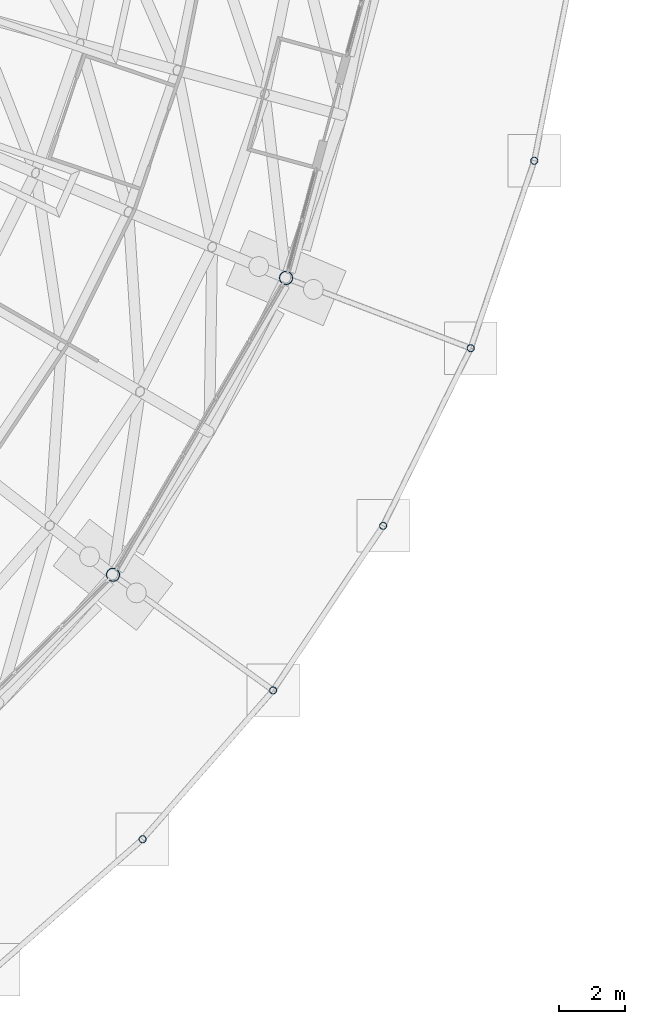
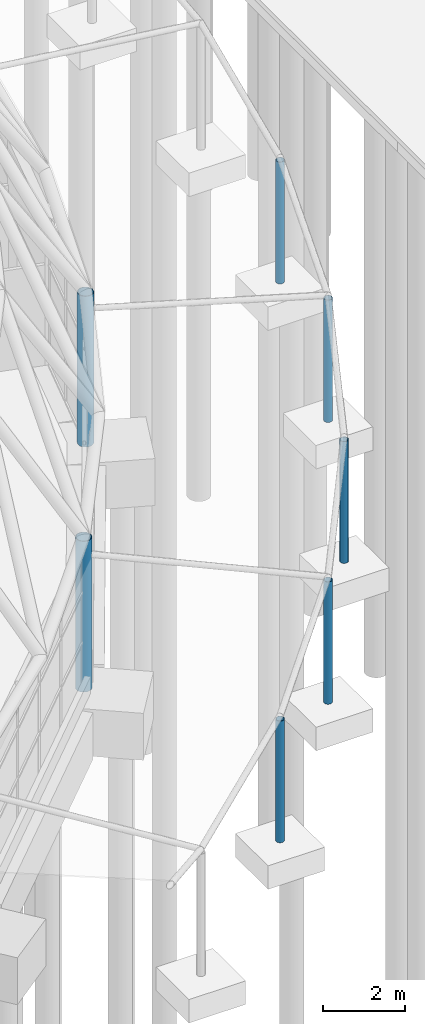
# One storey, part 37 of 226: 7 columns.
"""IFC4 building model written with IfcOpenShell, lengths in metres."""

from ifc_helpers import new_model, si_unit, direction, frame, origin, origin_2d, place, context, subcontext, project, spatial, hollow_circle, extrude, material, material_profile, profile_set, type_object, element, save


model = new_model("IFC4")

# Units and contexts
model_context = context("Model", 3, precision=1e-05, world=origin(), true_north=direction((0.0, 1.0)))
body_context = subcontext(model_context, "Body", "Model", "MODEL_VIEW")
ifc_project = project(units=[si_unit("LENGTHUNIT", "METRE"), si_unit("AREAUNIT", "SQUARE_METRE"), si_unit("VOLUMEUNIT", "CUBIC_METRE"), si_unit("PLANEANGLEUNIT", "RADIAN"), si_unit("MASSUNIT", "GRAM", prefix="KILO")], contexts=[model_context])

# Site, building, storey
site_placement = place(None, origin())
site = spatial("IfcSite", under=ifc_project, at=site_placement, CompositionType="ELEMENT")
building_placement = place(site_placement, origin())
building = spatial("IfcBuilding", under=site, at=building_placement, Name="Ceibo Conservatory and Research Tower", CompositionType="ELEMENT")
storey_placement = place(building_placement, origin())
storey = spatial("IfcBuildingStorey", under=building, at=storey_placement, Name="L00", CompositionType="ELEMENT", Elevation=0.0)

# Columns
ifc_material = material(Name="Steel ASTM A500 Gr C", Category="steel")
ifc_material_profile_1 = material_profile(ifc_material, hollow_circle(Radius=0.109619140625, WallThickness=0.00830078125, at=origin_2d()), Name="CHS column 219.1x8.18")
ifc_profile_set_1 = profile_set([ifc_material_profile_1], Name="Steel ASTM A500 Gr C")
column_type_1 = type_object("IfcColumnType", Name="CHS column 219.1x8.18", PredefinedType="COLUMN", material=ifc_profile_set_1)
column_1_placement = place(storey_placement, frame((188.52685546875, 75.47314453125, 0.0), z_axis=(0.0, 0.0, 1.0), x_axis=(1.0, 0.0, 0.0)))
element("IfcColumn", 1, at=column_1_placement, inside=storey, type_object=column_type_1, Name="Colonnade column A-CL03", PredefinedType="COLUMN", context=body_context, shape_type="SweptSolid", body=[
    extrude(hollow_circle(Radius=0.109619140625, WallThickness=0.00830078125, at=origin_2d()), origin(), (0.0, 0.0, 1.0), 3.631103515625),
])
column_2_placement = place(storey_placement, frame((192.494140625, 79.9970703125, 0.0), z_axis=(0.0, 0.0, 1.0), x_axis=(1.0, 0.0, 0.0)))
element("IfcColumn", 2, at=column_2_placement, inside=storey, type_object=column_type_1, Name="Colonnade column A-CL04", PredefinedType="COLUMN", context=body_context, shape_type="SweptSolid", body=[
    extrude(hollow_circle(Radius=0.109619140625, WallThickness=0.00830078125, at=origin_2d()), origin(), (0.0, 0.0, 1.0), 3.64794921875),
])
column_3_placement = place(storey_placement, frame((195.837158203125, 85.0, 0.0), z_axis=(0.0, 0.0, 1.0), x_axis=(1.0, 0.0, 0.0)))
element("IfcColumn", 3, at=column_3_placement, inside=storey, type_object=column_type_1, Name="Colonnade column A-CL05", PredefinedType="COLUMN", context=body_context, shape_type="SweptSolid", body=[
    extrude(hollow_circle(Radius=0.109619140625, WallThickness=0.00830078125, at=origin_2d()), origin(), (0.0, 0.0, 1.0), 3.631103515625),
])
column_4_placement = place(storey_placement, frame((198.49853515625, 90.396484375, 0.0), z_axis=(0.0, 0.0, 1.0), x_axis=(1.0, 0.0, 0.0)))
element("IfcColumn", 4, at=column_4_placement, inside=storey, type_object=column_type_1, Name="Colonnade column A-CL06", PredefinedType="COLUMN", context=body_context, shape_type="SweptSolid", body=[
    extrude(hollow_circle(Radius=0.109619140625, WallThickness=0.00830078125, at=origin_2d()), origin(), (0.0, 0.0, 1.0), 3.64794921875),
])
column_5_placement = place(storey_placement, frame((200.4326171875, 96.09423828125, 0.0), z_axis=(0.0, 0.0, 1.0), x_axis=(1.0, 0.0, 0.0)))
element("IfcColumn", 5, at=column_5_placement, inside=storey, type_object=column_type_1, Name="Colonnade column A-CL07", PredefinedType="COLUMN", context=body_context, shape_type="SweptSolid", body=[
    extrude(hollow_circle(Radius=0.109619140625, WallThickness=0.00830078125, at=origin_2d()), origin(), (0.0, 0.0, 1.0), 3.631103515625),
])
ifc_material_profile_2 = material_profile(ifc_material, hollow_circle(Radius=0.203125, WallThickness=0.0126953125, at=origin_2d()), Name="CHS column 406.4x12.70")
ifc_profile_set_2 = profile_set([ifc_material_profile_2], Name="Steel ASTM A500 Gr C")
column_type_2 = type_object("IfcColumnType", Name="CHS column 406.4x12.70", PredefinedType="COLUMN", material=ifc_profile_set_2)
for number, where, z_axis, x_axis, name in (
    (6, (187.627685546875, 83.51123046875, 0.0), (0.0, 0.0, 1.0), (1.0, 0.0, 0.0), "Drum column A-DC22"),
    (7, (192.887939453125, 92.531494140625, 0.0), (0.0, 0.0, 1.0), (1.0, 0.0, 0.0), "Drum column A-DC23"),
):
    element("IfcColumn", number, at=place(storey_placement, frame(where, z_axis=z_axis, x_axis=x_axis)), inside=storey, type_object=column_type_2, Name=name, PredefinedType="COLUMN", context=body_context, shape_type="SweptSolid", body=[
        extrude(hollow_circle(Radius=0.203125, WallThickness=0.0126953125, at=origin_2d()), origin(), (0.0, 0.0, 1.0), 4.5),
    ])

save(model, "model.ifc")
